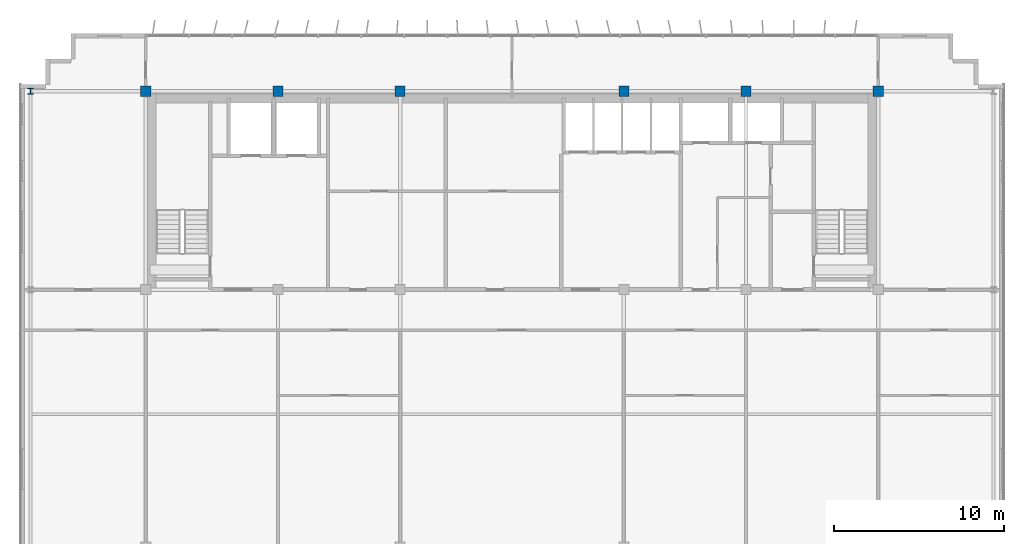
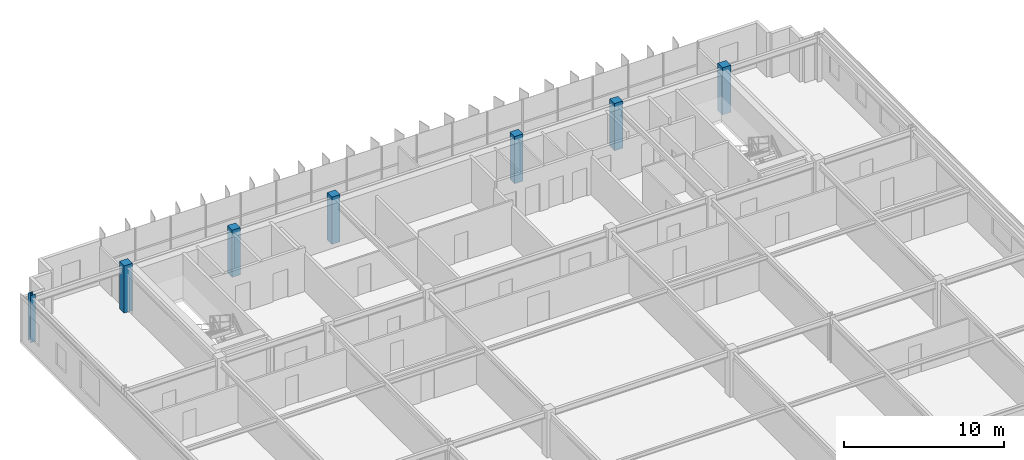
# One storey, part 3 of 21: 7 columns.
"""IFC4 building model written with IfcOpenShell, lengths in metres."""

from ifc_helpers import new_model, si_unit, direction, frame, origin, origin_2d, place, context, subcontext, project, spatial, rectangle, i_section, extrude, source, transform, mapped, material, material_profile, profile_set, type_object, element, save


model = new_model("IFC4")

# Units and contexts
model_context = context("Model", 3, precision=1e-05, world=origin(), true_north=direction((0.0, 1.0)))
body_context = subcontext(model_context, "Body", "Model", "MODEL_VIEW")
ifc_project = project(units=[si_unit("LENGTHUNIT", "METRE"), si_unit("AREAUNIT", "SQUARE_METRE"), si_unit("VOLUMEUNIT", "CUBIC_METRE"), si_unit("PLANEANGLEUNIT", "RADIAN"), si_unit("MASSUNIT", "GRAM", prefix="KILO")], contexts=[model_context])

# Site, building, storey
site_placement = place(None, origin())
site = spatial("IfcSite", under=ifc_project, at=site_placement, CompositionType="ELEMENT")
building_placement = place(site_placement, origin())
building = spatial("IfcBuilding", under=site, at=building_placement, Name="Trelvane Seafront Commons", CompositionType="ELEMENT")
storey_placement = place(building_placement, frame((0.0, 0.0, 252.300048828125)))
storey = spatial("IfcBuildingStorey", under=building, at=storey_placement, Name="L65", CompositionType="ELEMENT", Elevation=252.300048828125)

# Columns
ifc_material_1 = material(Name="Steel SM355 (S355)", Category="steel")
ifc_material_profile_1 = material_profile(ifc_material_1, i_section(OverallWidth=0.35009765625, OverallDepth=0.35009765625, WebThickness=0.01806640625, FlangeThickness=0.028076171875, at=origin_2d()), Name="HD-350x350x18x28")
ifc_profile_set_1 = profile_set([ifc_material_profile_1], Name="Steel SM355 (S355)")
column_type_1 = type_object("IfcColumnType", Name="STR-COL-HD350", PredefinedType="COLUMN", material=ifc_profile_set_1)
shared_shape_1 = source(origin(), body_context, "Body", "SweptSolid", [
    extrude(i_section(OverallWidth=0.35009765625, OverallDepth=0.35009765625, WebThickness=0.01806640625, FlangeThickness=0.028076171875, at=origin_2d()), origin(), (0.0, 0.0, 1.0), 3.599853515625),
])
column_placement = place(storey_placement, frame((8.800048828125, 45.10009765625, 0.0), z_axis=(0.0, 0.0, 1.0), x_axis=(1.0, 0.0, 0.0)))
element("IfcColumn", 1, at=column_placement, inside=storey, type_object=column_type_1, Name="L65 Column TC-CN8.8", PredefinedType="COLUMN", context=body_context, shape_type="MappedRepresentation", body=[
    mapped(shared_shape_1, transform((0.0, 0.0, 0.0), x_axis=(1.0, 0.0, 0.0), y_axis=(0.0, 1.0, 0.0), z_axis=(0.0, 0.0, 1.0), scale=1.0)),
])
ifc_material_2 = material(Name="Concrete C50/60", Category="concrete")
ifc_material_profile_2 = material_profile(ifc_material_2, rectangle(XDim=0.60009765625, YDim=0.60009765625, at=origin_2d()), Name="RC-600x600")
ifc_profile_set_2 = profile_set([ifc_material_profile_2], Name="Concrete C50/60")
column_type_2 = type_object("IfcColumnType", Name="STR-COL-RC600", PredefinedType="COLUMN", material=ifc_profile_set_2)
shared_shape_2 = source(origin(), body_context, "Body", "SweptSolid", [
    extrude(rectangle(XDim=0.60009765625, YDim=0.60009765625, at=origin_2d()), origin(), (0.0, 0.0, 1.0), 3.599853515625),
])
for number, where, z_axis, x_axis, name in (
    (2, (15.60009765625, 45.10009765625, 0.0), (0.0, 0.0, 1.0), (1.0, 0.0, 0.0), "L65 Column TC-CN15.6"),
    (3, (23.39990234375, 45.10009765625, 0.0), (0.0, 0.0, 1.0), (1.0, 0.0, 0.0), "L65 Column TC-CN23.4"),
    (4, (30.60009765625, 45.10009765625, 0.0), (0.0, 0.0, 1.0), (1.0, 0.0, 0.0), "L65 Column TC-CN30.6"),
    (5, (43.800048828125, 45.10009765625, 0.0), (0.0, 0.0, 1.0), (1.0, 0.0, 0.0), "L65 Column TC-CN43.8"),
    (6, (51.0, 45.10009765625, 0.0), (0.0, 0.0, 1.0), (1.0, 0.0, 0.0), "L65 Column TC-CN51.0"),
    (7, (58.800048828125, 45.10009765625, 0.0), (0.0, 0.0, 1.0), (1.0, 0.0, 0.0), "L65 Column TC-CN58.8"),
):
    element("IfcColumn", number, at=place(storey_placement, frame(where, z_axis=z_axis, x_axis=x_axis)), inside=storey, type_object=column_type_2, Name=name, PredefinedType="COLUMN", context=body_context, shape_type="MappedRepresentation", body=[
        mapped(shared_shape_2, transform((0.0, 0.0, 0.0), x_axis=(1.0, 0.0, 0.0), y_axis=(0.0, 1.0, 0.0), z_axis=(0.0, 0.0, 1.0), scale=1.0)),
    ])

save(model, "model.ifc")
